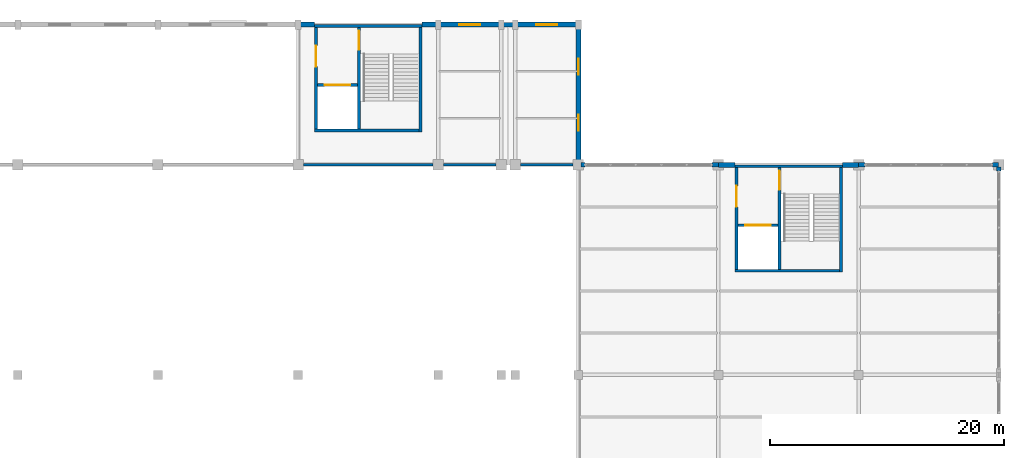
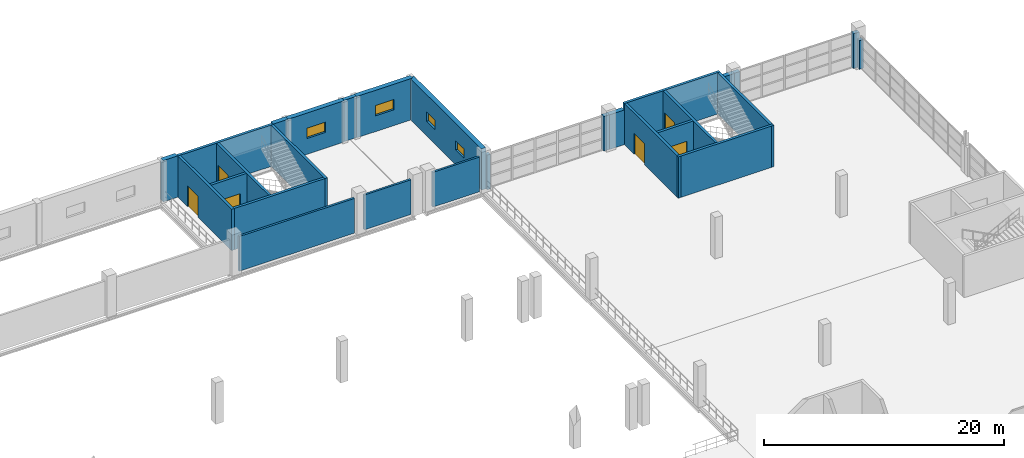
# One storey, part 150 of 158: 28 walls, 6 doors, 4 windows, 10 openings.
"""IFC4 building model written with IfcOpenShell, lengths in metres."""

from ifc_helpers import new_model, si_unit, direction, frame, frame_2d, origin, place, context, subcontext, project, spatial, rectangle, extrude, material, layer, layer_set, type_object, element, fill, save


model = new_model("IFC4")

# Units and contexts
model_context = context("Model", 3, precision=1e-05, world=origin(), true_north=direction((0.0, 1.0)))
body_context = subcontext(model_context, "Body", "Model", "MODEL_VIEW")
ifc_project = project(units=[si_unit("LENGTHUNIT", "METRE"), si_unit("AREAUNIT", "SQUARE_METRE"), si_unit("VOLUMEUNIT", "CUBIC_METRE"), si_unit("PLANEANGLEUNIT", "RADIAN"), si_unit("MASSUNIT", "GRAM", prefix="KILO")], contexts=[model_context])

# Site, building, storey
site_placement = place(None, origin())
site = spatial("IfcSite", under=ifc_project, at=site_placement, CompositionType="ELEMENT")
building_placement = place(site_placement, origin())
building = spatial("IfcBuilding", under=site, at=building_placement, Name="Zilviju Railside Exhibition Hall", CompositionType="ELEMENT")
storey_placement = place(building_placement, frame((0.0, 0.0, 4.199951171875)))
storey = spatial("IfcBuildingStorey", under=building, at=storey_placement, Name="L02", CompositionType="ELEMENT", Elevation=4.199951171875)

# Walls
ifc_material_1 = material(Name="Concrete C35/45", Category="concrete")
ifc_layer_1 = layer(ifc_material_1, 0.25)
ifc_layer_set_1 = layer_set([ifc_layer_1], Name="Concrete C35/45")
wall_type_1 = type_object("IfcWallType", Name="WL-CORE-250", PredefinedType="SHEAR", material=ifc_layer_set_1)
wall_1_placement = place(storey_placement, frame((202.47509765625, 138.0, 0.0), z_axis=(0.0, 0.0, 1.0), x_axis=(0.0, -1.0, 0.0)))
element("IfcWall", 1, at=wall_1_placement, inside=storey, type_object=wall_type_1, Name="Core C08 North Hall Rail East Stairwell Outer Wall L02", PredefinedType="SHEAR", context=body_context, shape_type="SweptSolid", body=[
    extrude(rectangle(XDim=9.199951171875, YDim=0.25, at=frame_2d((4.60009765625, 0.0))), origin(), (0.0, 0.0, 1.0), 4.199951171875),
])
wall_2_placement = place(storey_placement, frame((202.60009765625, 128.925048828125, 0.0), z_axis=(0.0, 0.0, 1.0), x_axis=(-1.0, 0.0, 0.0)))
element("IfcWall", 2, at=wall_2_placement, inside=storey, type_object=wall_type_1, Name="Core C08 North Hall Rail East Core Rear Wall L02", PredefinedType="SHEAR", context=body_context, shape_type="SweptSolid", body=[
    extrude(rectangle(XDim=9.2001953125, YDim=0.25, at=frame_2d((4.60009765625, 0.0))), origin(), (0.0, 0.0, 1.0), 4.199951171875),
])

# Wall, opening, door
wall_3_placement = place(storey_placement, frame((193.52490234375, 138.0, 0.0), z_axis=(0.0, 0.0, 1.0), x_axis=(0.0, -1.0, 0.0)))
wall_3 = element("IfcWall", 3, at=wall_3_placement, inside=storey, type_object=wall_type_1, Name="Core C08 North Hall Rail East Lobby Side Wall L02", PredefinedType="SHEAR", context=body_context, shape_type="SweptSolid", body=[
    extrude(rectangle(XDim=9.199951171875, YDim=0.25, at=frame_2d((4.60009765625, 0.0))), origin(), (0.0, 0.0, 1.0), 4.199951171875),
])
opening_1_placement = place(wall_3_placement, frame((1.800048828125, 0.0, 0.0)))
opening_1 = element("IfcOpeningElement", 4, at=opening_1_placement, cuts=wall_3, Name="Opening FD-02", PredefinedType="OPENING", context=body_context, shape_type="SweptSolid", body=[
    extrude(rectangle(XDim=1.800048828125, YDim=2.14990234375, at=frame_2d((0.89990234375, 1.074951171875))), frame((0.0, 0.135009765625, 0.0), z_axis=(0.0, -1.0, 0.0), x_axis=(1.0, 0.0, 0.0)), (0.0, 0.0, 1.0), 0.27001953125),
])
ifc_material_2 = material(Name="Self-closing glazed steel core lobby fire door EI 60", Category="steel")
door_type_1 = type_object("IfcDoorType", Name="DR-LOBBY-180x215", OperationType="NOTDEFINED", PredefinedType="DOOR", material=ifc_material_2)
door_1_placement = place(opening_1_placement, origin())
door_1 = element("IfcDoor", 5, at=door_1_placement, inside=storey, type_object=door_type_1, Name="Core C08 North Hall Rail East Lobby Fire Door L02", OperationType="DOUBLE_DOOR_SINGLE_SWING", OverallHeight=2.14990234375, OverallWidth=1.800048828125, PredefinedType="DOOR", context=body_context, shape_type="SweptSolid", body=[
    extrude(rectangle(XDim=1.800048828125, YDim=2.14990234375, at=frame_2d((0.89990234375, 1.074951171875))), frame((0.0, 0.02490234375, 0.0), z_axis=(0.0, -1.0, 0.0), x_axis=(1.0, 0.0, 0.0)), (0.0, 0.0, 1.0), 0.050048828125),
])
fill(opening_1, door_1)

wall_4_placement = place(storey_placement, frame((197.22509765625, 137.75, 0.0), z_axis=(0.0, 0.0, 1.0), x_axis=(0.0, -1.0, 0.0)))
wall_4 = element("IfcWall", 6, at=wall_4_placement, inside=storey, type_object=wall_type_1, Name="Core C08 North Hall Rail East Stairwell Partition Wall L02", PredefinedType="SHEAR", context=body_context, shape_type="SweptSolid", body=[
    extrude(rectangle(XDim=8.699951171875, YDim=0.25, at=frame_2d((4.35009765625, 0.0))), origin(), (0.0, 0.0, 1.0), 4.199951171875),
])
opening_2_placement = place(wall_4_placement, frame((0.25, 0.0, 0.0)))
opening_2 = element("IfcOpeningElement", 7, at=opening_2_placement, cuts=wall_4, Name="Opening FD-01", PredefinedType="OPENING", context=body_context, shape_type="SweptSolid", body=[
    extrude(rectangle(XDim=1.64990234375, YDim=2.10009765625, at=frame_2d((0.824951171875, 1.050048828125))), frame((0.0, 0.135009765625, 0.0), z_axis=(0.0, -1.0, 0.0), x_axis=(1.0, 0.0, 0.0)), (0.0, 0.0, 1.0), 0.27001953125),
])
ifc_material_3 = material(Name="Self-closing steel stair enclosure fire door EI 60", Category="steel")
door_type_2 = type_object("IfcDoorType", Name="DR-STAIR-165x210", OperationType="NOTDEFINED", PredefinedType="DOOR", material=ifc_material_3)
door_2_placement = place(opening_2_placement, origin())
door_2 = element("IfcDoor", 8, at=door_2_placement, inside=storey, type_object=door_type_2, Name="Core C08 North Hall Rail East Protected Stair Door L02", OperationType="SINGLE_SWING_LEFT", OverallHeight=2.10009765625, OverallWidth=1.64990234375, PredefinedType="DOOR", context=body_context, shape_type="SweptSolid", body=[
    extrude(rectangle(XDim=1.64990234375, YDim=2.10009765625, at=frame_2d((0.824951171875, 1.050048828125))), frame((0.0, 0.02490234375, 0.0), z_axis=(0.0, -1.0, 0.0), x_axis=(1.0, 0.0, 0.0)), (0.0, 0.0, 1.0), 0.050048828125),
])
fill(opening_2, door_2)

wall_5_placement = place(storey_placement, frame((197.10009765625, 132.824951171875, 0.0), z_axis=(0.0, 0.0, 1.0), x_axis=(-1.0, 0.0, 0.0)))
wall_5 = element("IfcWall", 9, at=wall_5_placement, inside=storey, type_object=wall_type_1, Name="Core C08 North Hall Rail East Lift Shaft Front Wall L02", PredefinedType="SHEAR", context=body_context, shape_type="SweptSolid", body=[
    extrude(rectangle(XDim=3.4501953125, YDim=0.25, at=frame_2d((1.72509765625, 0.0))), origin(), (0.0, 0.0, 1.0), 4.199951171875),
])
opening_3_placement = place(wall_5_placement, frame((0.625, 0.0, 0.0)))
opening_3 = element("IfcOpeningElement", 10, at=opening_3_placement, cuts=wall_5, Name="Opening LD-02", PredefinedType="OPENING", context=body_context, shape_type="SweptSolid", body=[
    extrude(rectangle(XDim=2.199951171875, YDim=2.35009765625, at=frame_2d((1.10009765625, 1.175048828125))), frame((0.0, 0.135009765625, 0.0), z_axis=(0.0, -1.0, 0.0), x_axis=(1.0, 0.0, 0.0)), (0.0, 0.0, 1.0), 0.27001953125),
])
ifc_material_4 = material(Name="Heavy freight lift sliding landing door EI 60", Category="wood")
door_type_3 = type_object("IfcDoorType", Name="DR-LIFT-220x235", OperationType="NOTDEFINED", PredefinedType="DOOR", material=ifc_material_4)
door_3_placement = place(opening_3_placement, origin())
door_3 = element("IfcDoor", 11, at=door_3_placement, inside=storey, type_object=door_type_3, Name="Lift Landing Door LF-02 L02", OperationType="SLIDING_TO_RIGHT", OverallHeight=2.35009765625, OverallWidth=2.199951171875, PredefinedType="DOOR", context=body_context, shape_type="SweptSolid", body=[
    extrude(rectangle(XDim=2.199951171875, YDim=2.35009765625, at=frame_2d((1.10009765625, 1.175048828125))), frame((0.0, 0.02490234375, 0.0), z_axis=(0.0, -1.0, 0.0), x_axis=(1.0, 0.0, 0.0)), (0.0, 0.0, 1.0), 0.050048828125),
])
fill(opening_3, door_3)

# Walls
wall_6_placement = place(storey_placement, frame((166.47509765625, 150.0, 0.0), z_axis=(0.0, 0.0, 1.0), x_axis=(0.0, -1.0, 0.0)))
element("IfcWall", 12, at=wall_6_placement, inside=storey, type_object=wall_type_1, Name="Core C17 Logistics Wing East Stairwell Outer Wall L02", PredefinedType="SHEAR", context=body_context, shape_type="SweptSolid", body=[
    extrude(rectangle(XDim=9.199951171875, YDim=0.25, at=frame_2d((4.60009765625, 0.0))), origin(), (0.0, 0.0, 1.0), 4.199951171875),
])
wall_7_placement = place(storey_placement, frame((166.60009765625, 140.925048828125, 0.0), z_axis=(0.0, 0.0, 1.0), x_axis=(-1.0, 0.0, 0.0)))
element("IfcWall", 13, at=wall_7_placement, inside=storey, type_object=wall_type_1, Name="Core C17 Logistics Wing East Core Rear Wall L02", PredefinedType="SHEAR", context=body_context, shape_type="SweptSolid", body=[
    extrude(rectangle(XDim=9.2001953125, YDim=0.25, at=frame_2d((4.60009765625, 0.0))), origin(), (0.0, 0.0, 1.0), 4.199951171875),
])

# Wall, opening, door
wall_8_placement = place(storey_placement, frame((157.52490234375, 150.0, 0.0), z_axis=(0.0, 0.0, 1.0), x_axis=(0.0, -1.0, 0.0)))
wall_8 = element("IfcWall", 14, at=wall_8_placement, inside=storey, type_object=wall_type_1, Name="Core C17 Logistics Wing East Lobby Side Wall L02", PredefinedType="SHEAR", context=body_context, shape_type="SweptSolid", body=[
    extrude(rectangle(XDim=9.199951171875, YDim=0.25, at=frame_2d((4.60009765625, 0.0))), origin(), (0.0, 0.0, 1.0), 4.199951171875),
])
opening_4_placement = place(wall_8_placement, frame((1.800048828125, 0.0, 0.0)))
opening_4 = element("IfcOpeningElement", 15, at=opening_4_placement, cuts=wall_8, Name="Opening FD-02", PredefinedType="OPENING", context=body_context, shape_type="SweptSolid", body=[
    extrude(rectangle(XDim=1.800048828125, YDim=2.14990234375, at=frame_2d((0.89990234375, 1.074951171875))), frame((0.0, 0.135009765625, 0.0), z_axis=(0.0, -1.0, 0.0), x_axis=(1.0, 0.0, 0.0)), (0.0, 0.0, 1.0), 0.27001953125),
])
door_4_placement = place(opening_4_placement, origin())
door_4 = element("IfcDoor", 16, at=door_4_placement, inside=storey, type_object=door_type_1, Name="Core C17 Logistics Wing East Lobby Fire Door L02", OperationType="DOUBLE_DOOR_SINGLE_SWING", OverallHeight=2.14990234375, OverallWidth=1.800048828125, PredefinedType="DOOR", context=body_context, shape_type="SweptSolid", body=[
    extrude(rectangle(XDim=1.800048828125, YDim=2.14990234375, at=frame_2d((0.89990234375, 1.074951171875))), frame((0.0, 0.02490234375, 0.0), z_axis=(0.0, -1.0, 0.0), x_axis=(1.0, 0.0, 0.0)), (0.0, 0.0, 1.0), 0.050048828125),
])
fill(opening_4, door_4)

wall_9_placement = place(storey_placement, frame((161.22509765625, 149.75, 0.0), z_axis=(0.0, 0.0, 1.0), x_axis=(0.0, -1.0, 0.0)))
wall_9 = element("IfcWall", 17, at=wall_9_placement, inside=storey, type_object=wall_type_1, Name="Core C17 Logistics Wing East Stairwell Partition Wall L02", PredefinedType="SHEAR", context=body_context, shape_type="SweptSolid", body=[
    extrude(rectangle(XDim=8.699951171875, YDim=0.25, at=frame_2d((4.35009765625, 0.0))), origin(), (0.0, 0.0, 1.0), 4.199951171875),
])
opening_5_placement = place(wall_9_placement, frame((0.25, 0.0, 0.0)))
opening_5 = element("IfcOpeningElement", 18, at=opening_5_placement, cuts=wall_9, Name="Opening FD-01", PredefinedType="OPENING", context=body_context, shape_type="SweptSolid", body=[
    extrude(rectangle(XDim=1.64990234375, YDim=2.10009765625, at=frame_2d((0.824951171875, 1.050048828125))), frame((0.0, 0.135009765625, 0.0), z_axis=(0.0, -1.0, 0.0), x_axis=(1.0, 0.0, 0.0)), (0.0, 0.0, 1.0), 0.27001953125),
])
door_5_placement = place(opening_5_placement, origin())
door_5 = element("IfcDoor", 19, at=door_5_placement, inside=storey, type_object=door_type_2, Name="Core C17 Logistics Wing East Protected Stair Door L02", OperationType="SINGLE_SWING_RIGHT", OverallHeight=2.10009765625, OverallWidth=1.64990234375, PredefinedType="DOOR", context=body_context, shape_type="SweptSolid", body=[
    extrude(rectangle(XDim=1.64990234375, YDim=2.10009765625, at=frame_2d((0.824951171875, 1.050048828125))), frame((0.0, 0.02490234375, 0.0), z_axis=(0.0, -1.0, 0.0), x_axis=(1.0, 0.0, 0.0)), (0.0, 0.0, 1.0), 0.050048828125),
])
fill(opening_5, door_5)

wall_10_placement = place(storey_placement, frame((161.10009765625, 144.824951171875, 0.0), z_axis=(0.0, 0.0, 1.0), x_axis=(-1.0, 0.0, 0.0)))
wall_10 = element("IfcWall", 20, at=wall_10_placement, inside=storey, type_object=wall_type_1, Name="Core C17 Logistics Wing East Lift Shaft Front Wall L02", PredefinedType="SHEAR", context=body_context, shape_type="SweptSolid", body=[
    extrude(rectangle(XDim=3.4501953125, YDim=0.25, at=frame_2d((1.72509765625, 0.0))), origin(), (0.0, 0.0, 1.0), 4.199951171875),
])
opening_6_placement = place(wall_10_placement, frame((0.625, 0.0, 0.0)))
opening_6 = element("IfcOpeningElement", 21, at=opening_6_placement, cuts=wall_10, Name="Opening LD-02", PredefinedType="OPENING", context=body_context, shape_type="SweptSolid", body=[
    extrude(rectangle(XDim=2.199951171875, YDim=2.35009765625, at=frame_2d((1.10009765625, 1.175048828125))), frame((0.0, 0.135009765625, 0.0), z_axis=(0.0, -1.0, 0.0), x_axis=(1.0, 0.0, 0.0)), (0.0, 0.0, 1.0), 0.27001953125),
])
door_6_placement = place(opening_6_placement, origin())
door_6 = element("IfcDoor", 22, at=door_6_placement, inside=storey, type_object=door_type_3, Name="Lift Landing Door LF-04 L02", OperationType="SLIDING_TO_LEFT", OverallHeight=2.35009765625, OverallWidth=2.199951171875, PredefinedType="DOOR", context=body_context, shape_type="SweptSolid", body=[
    extrude(rectangle(XDim=2.199951171875, YDim=2.35009765625, at=frame_2d((1.10009765625, 1.175048828125))), frame((0.0, 0.02490234375, 0.0), z_axis=(0.0, -1.0, 0.0), x_axis=(1.0, 0.0, 0.0)), (0.0, 0.0, 1.0), 0.050048828125),
])
fill(opening_6, door_6)

# Walls
ifc_material_5 = material(Name="Concrete C40/50", Category="concrete")
ifc_layer_2 = layer(ifc_material_5, 0.25)
ifc_layer_set_2 = layer_set([ifc_layer_2], Name="Concrete C40/50")
wall_type_2 = type_object("IfcWallType", Name="WL-CORE-300", PredefinedType="SHEAR", material=ifc_layer_set_2)
for number, where, z_axis, x_axis, name in (
    (23, (193.39990234375, 137.875, 0.0), (0.0, 0.0, 1.0), (1.0, 0.0, 0.0), "Core C08 North Hall Rail East Exterior Core Wall L02"),
    (24, (157.39990234375, 149.875, 0.0), (0.0, 0.0, 1.0), (1.0, 0.0, 0.0), "Core C17 Logistics Wing East Exterior Core Wall L02"),
):
    element("IfcWall", number, at=place(storey_placement, frame(where, z_axis=z_axis, x_axis=x_axis)), inside=storey, type_object=wall_type_2, Name=name, PredefinedType="SHEAR", context=body_context, shape_type="SweptSolid", body=[
        extrude(rectangle(XDim=9.2001953125, YDim=0.25, at=frame_2d((4.60009765625, 0.0))), origin(), (0.0, 0.0, 1.0), 4.199951171875),
    ])
ifc_material_6 = material(Name="Insulated courtyard masonry wall", Category="masonry")
ifc_layer_3 = layer(ifc_material_6, 0.360107421875)
ifc_layer_set_3 = layer_set([ifc_layer_3], Name="Insulated courtyard masonry wall")
wall_type_3 = type_object("IfcWallType", Name="WL-EXT-360", PredefinedType="SOLIDWALL", material=ifc_layer_set_3)
wall_11_placement = place(storey_placement, frame((173.39990234375, 150.0, 0.0), z_axis=(0.0, 0.0, 1.0), x_axis=(1.0, 0.0, 0.0)))
element("IfcWall", 25, at=wall_11_placement, inside=storey, type_object=wall_type_3, Name="Exterior Facade Wall L02 North 0600", PredefinedType="SOLIDWALL", context=body_context, shape_type="SweptSolid", body=[
    extrude(rectangle(XDim=1.2001953125, YDim=0.360107421875, at=frame_2d((0.60009765625, 0.0))), origin(), (0.0, 0.0, 1.0), 4.199951171875),
])
ifc_material_7 = material(Name="Insulated cream-brick upper facade wall", Category="masonry")
ifc_layer_4 = layer(ifc_material_7, 0.3798828125)
ifc_layer_set_4 = layer_set([ifc_layer_4], Name="Insulated cream-brick upper facade wall")
wall_type_4 = type_object("IfcWallType", Name="WL-EXT-380", PredefinedType="SOLIDWALL", material=ifc_layer_set_4)
wall_12_placement = place(storey_placement, frame((180.221923828125, 138.0, 0.0), z_axis=(0.0, 0.0, 1.0), x_axis=(1.0, 0.0, 0.0)))
element("IfcWall", 26, at=wall_12_placement, inside=storey, type_object=wall_type_4, Name="Curtain-Wall Jamb Closure Pier L02 0210", PredefinedType="SOLIDWALL", context=body_context, shape_type="SweptSolid", body=[
    extrude(rectangle(XDim=0.328125, YDim=0.3798828125, at=frame_2d((0.1640625, 0.0))), origin(), (0.0, 0.0, 1.0), 3.530029296875),
])
for number, where, z_axis, x_axis, name in (
    (27, (191.449951171875, 138.0, 0.0), (0.0, 0.0, 1.0), (1.0, 0.0, 0.0), "Curtain-Wall Jamb Closure Pier L02 0211"),
    (28, (204.001953125, 138.0, 0.0), (0.0, 0.0, 1.0), (1.0, 0.0, 0.0), "Curtain-Wall Jamb Closure Pier L02 0214"),
):
    element("IfcWall", number, at=place(storey_placement, frame(where, z_axis=z_axis, x_axis=x_axis)), inside=storey, type_object=wall_type_4, Name=name, PredefinedType="SOLIDWALL", context=body_context, shape_type="SweptSolid", body=[
        extrude(rectangle(XDim=0.548095703125, YDim=0.3798828125, at=frame_2d((0.27392578125, 0.0))), origin(), (0.0, 0.0, 1.0), 3.530029296875),
    ])
wall_13_placement = place(storey_placement, frame((215.449951171875, 138.0, 0.0), z_axis=(0.0, 0.0, 1.0), x_axis=(1.0, 0.0, 0.0)))
element("IfcWall", 29, at=wall_13_placement, inside=storey, type_object=wall_type_4, Name="Curtain-Wall Jamb Closure Pier L02 0215", PredefinedType="SOLIDWALL", context=body_context, shape_type="SweptSolid", body=[
    extrude(rectangle(XDim=0.550048828125, YDim=0.3798828125, at=frame_2d((0.27490234375, 0.0))), origin(), (0.0, 0.0, 1.0), 3.530029296875),
])
wall_14_placement = place(storey_placement, frame((216.0, 137.80810546875, 0.0), z_axis=(0.0, 0.0, 1.0), x_axis=(0.0, -1.0, 0.0)))
element("IfcWall", 30, at=wall_14_placement, inside=storey, type_object=wall_type_4, Name="Curtain-Wall Jamb Closure Pier L02 0222", PredefinedType="SOLIDWALL", context=body_context, shape_type="SweptSolid", body=[
    extrude(rectangle(XDim=0.358154296875, YDim=0.3798828125, at=frame_2d((0.17919921875, 0.0))), origin(), (0.0, 0.0, 1.0), 2.920166015625),
])
ifc_material_8 = material(Name="Insulated Jugendstils ochre brick facade wall", Category="masonry")
ifc_layer_5 = layer(ifc_material_8, 0.419921875)
ifc_layer_set_5 = layer_set([ifc_layer_5], Name="Insulated Jugendstils ochre brick facade wall")
wall_type_5 = type_object("IfcWallType", Name="WL-EXT-420", PredefinedType="SOLIDWALL", material=ifc_layer_set_5)
for number, where, z_axis, x_axis, name in (
    (31, (192.0, 138.0, 0.0), (0.0, 0.0, 1.0), (1.0, 0.0, 0.0), "Exterior Facade Wall L02 North 0212"),
    (32, (202.60009765625, 138.0, 0.0), (0.0, 0.0, 1.0), (1.0, 0.0, 0.0), "Exterior Facade Wall L02 North 0213"),
):
    element("IfcWall", number, at=place(storey_placement, frame(where, z_axis=z_axis, x_axis=x_axis)), inside=storey, type_object=wall_type_5, Name=name, PredefinedType="SOLIDWALL", context=body_context, shape_type="SweptSolid", body=[
        extrude(rectangle(XDim=1.39990234375, YDim=0.419921875, at=frame_2d((0.699951171875, 0.0))), origin(), (0.0, 0.0, 1.0), 3.530029296875),
    ])
ifc_layer_6 = layer(ifc_material_5, 0.43994140625)
ifc_layer_set_6 = layer_set([ifc_layer_6], Name="Concrete C40/50")
wall_type_6 = type_object("IfcWallType", Name="WL-EXT-AC440", PredefinedType="SHEAR", material=ifc_layer_set_6)
for number, where, z_axis, x_axis, name in (
    (33, (156.0, 150.0, 0.0), (0.0, 0.0, 1.0), (1.0, 0.0, 0.0), "Exterior Facade Wall L02 North 0553"),
    (34, (166.60009765625, 150.0, 0.0), (0.0, 0.0, 1.0), (1.0, 0.0, 0.0), "Exterior Facade Wall L02 North 0554"),
):
    element("IfcWall", number, at=place(storey_placement, frame(where, z_axis=z_axis, x_axis=x_axis)), inside=storey, type_object=wall_type_6, Name=name, PredefinedType="SHEAR", context=body_context, shape_type="SweptSolid", body=[
        extrude(rectangle(XDim=1.39990234375, YDim=0.43994140625, at=frame_2d((0.699951171875, 0.0))), origin(), (0.0, 0.0, 1.0), 4.199951171875),
    ])

# Wall, opening, window
wall_15_placement = place(storey_placement, frame((168.0, 150.0, 0.0), z_axis=(0.0, 0.0, 1.0), x_axis=(1.0, 0.0, 0.0)))
wall_15 = element("IfcWall", 35, at=wall_15_placement, inside=storey, type_object=wall_type_6, Name="Exterior Facade Wall L02 North 0555", PredefinedType="SHEAR", context=body_context, shape_type="SweptSolid", body=[
    extrude(rectangle(XDim=5.39990234375, YDim=0.43994140625, at=frame_2d((2.699951171875, 0.0))), origin(), (0.0, 0.0, 1.0), 4.199951171875),
])
opening_7_placement = place(wall_15_placement, frame((1.800048828125, 0.0, 1.60009765625)))
opening_7 = element("IfcOpeningElement", 36, at=opening_7_placement, cuts=wall_15, Name="Opening WN-16", PredefinedType="OPENING", context=body_context, shape_type="SweptSolid", body=[
    extrude(rectangle(XDim=1.800048828125, YDim=1.050048828125, at=frame_2d((0.89990234375, 0.52490234375))), frame((0.0, 0.22998046875, 0.0), z_axis=(0.0, -1.0, 0.0), x_axis=(1.0, 0.0, 0.0)), (0.0, 0.0, 1.0), 0.4599609375),
])
ifc_material_9 = material(Name="Triple-glazed timber-aluminium window unit", Category="wood")
window_type_1 = type_object("IfcWindowType", Name="WIN-LOG-180x105", PartitioningType="DOUBLE_PANEL_VERTICAL", PredefinedType="WINDOW", material=ifc_material_9)
window_1_placement = place(opening_7_placement, origin())
window_1 = element("IfcWindow", 37, at=window_1_placement, inside=storey, type_object=window_type_1, Name="Facade Window L02 WN-0136", OverallHeight=1.050048828125, OverallWidth=1.800048828125, PartitioningType="SINGLE_PANEL", PredefinedType="WINDOW", context=body_context, shape_type="SweptSolid", body=[
    extrude(rectangle(XDim=1.800048828125, YDim=1.050048828125, at=frame_2d((0.89990234375, 0.52490234375))), frame((0.0, 0.030029296875, 0.0), z_axis=(0.0, -1.0, 0.0), x_axis=(1.0, 0.0, 0.0)), (0.0, 0.0, 1.0), 0.06005859375),
])
fill(opening_7, window_1)

wall_16_placement = place(storey_placement, frame((174.60009765625, 150.0, 0.0), z_axis=(0.0, 0.0, 1.0), x_axis=(1.0, 0.0, 0.0)))
wall_16 = element("IfcWall", 38, at=wall_16_placement, inside=storey, type_object=wall_type_6, Name="Exterior Facade Wall L02 North 0556", PredefinedType="SHEAR", context=body_context, shape_type="SweptSolid", body=[
    extrude(rectangle(XDim=5.39990234375, YDim=0.43994140625, at=frame_2d((2.699951171875, 0.0))), origin(), (0.0, 0.0, 1.0), 4.199951171875),
])
opening_8_placement = place(wall_16_placement, frame((1.800048828125, 0.0, 1.60009765625)))
opening_8 = element("IfcOpeningElement", 39, at=opening_8_placement, cuts=wall_16, Name="Opening WN-16", PredefinedType="OPENING", context=body_context, shape_type="SweptSolid", body=[
    extrude(rectangle(XDim=1.800048828125, YDim=1.050048828125, at=frame_2d((0.89990234375, 0.52490234375))), frame((0.0, 0.22998046875, 0.0), z_axis=(0.0, -1.0, 0.0), x_axis=(1.0, 0.0, 0.0)), (0.0, 0.0, 1.0), 0.4599609375),
])
window_2_placement = place(opening_8_placement, origin())
window_2 = element("IfcWindow", 40, at=window_2_placement, inside=storey, type_object=window_type_1, Name="Facade Window L02 WN-0137", OverallHeight=1.050048828125, OverallWidth=1.800048828125, PartitioningType="SINGLE_PANEL", PredefinedType="WINDOW", context=body_context, shape_type="SweptSolid", body=[
    extrude(rectangle(XDim=1.800048828125, YDim=1.050048828125, at=frame_2d((0.89990234375, 0.52490234375))), frame((0.0, 0.030029296875, 0.0), z_axis=(0.0, -1.0, 0.0), x_axis=(1.0, 0.0, 0.0)), (0.0, 0.0, 1.0), 0.06005859375),
])
fill(opening_8, window_2)

# Wall, openings, windows
wall_17_placement = place(storey_placement, frame((180.0, 150.0, 0.0), z_axis=(0.0, 0.0, 1.0), x_axis=(0.0, -1.0, 0.0)))
wall_17 = element("IfcWall", 41, at=wall_17_placement, inside=storey, type_object=wall_type_6, Name="Exterior Facade Wall L02 East 0579", PredefinedType="SHEAR", context=body_context, shape_type="SweptSolid", body=[
    extrude(rectangle(XDim=12.0, YDim=0.43994140625, at=frame_2d((6.0, 0.0))), origin(), (0.0, 0.0, 1.0), 4.199951171875),
])
opening_9_placement = place(wall_17_placement, frame((2.89990234375, 0.0, 1.5)))
opening_9 = element("IfcOpeningElement", 42, at=opening_9_placement, cuts=wall_17, Name="Opening WN-17", PredefinedType="OPENING", context=body_context, shape_type="SweptSolid", body=[
    extrude(rectangle(XDim=1.39990234375, YDim=0.949951171875, at=frame_2d((0.699951171875, 0.47509765625))), frame((0.0, 0.22998046875, 0.0), z_axis=(0.0, -1.0, 0.0), x_axis=(1.0, 0.0, 0.0)), (0.0, 0.0, 1.0), 0.4599609375),
])
opening_10_placement = place(wall_17_placement, frame((7.699951171875, 0.0, 1.5)))
opening_10 = element("IfcOpeningElement", 43, at=opening_10_placement, cuts=wall_17, Name="Opening WN-17", PredefinedType="OPENING", context=body_context, shape_type="SweptSolid", body=[
    extrude(rectangle(XDim=1.39990234375, YDim=0.949951171875, at=frame_2d((0.699951171875, 0.47509765625))), frame((0.0, 0.22998046875, 0.0), z_axis=(0.0, -1.0, 0.0), x_axis=(1.0, 0.0, 0.0)), (0.0, 0.0, 1.0), 0.4599609375),
])
window_type_2 = type_object("IfcWindowType", Name="WIN-LOG-140x095", PartitioningType="DOUBLE_PANEL_VERTICAL", PredefinedType="WINDOW", material=ifc_material_9)
window_3_placement = place(opening_9_placement, origin())
window_3 = element("IfcWindow", 44, at=window_3_placement, inside=storey, type_object=window_type_2, Name="Facade Window L02 WN-0172", OverallHeight=0.949951171875, OverallWidth=1.39990234375, PartitioningType="SINGLE_PANEL", PredefinedType="WINDOW", context=body_context, shape_type="SweptSolid", body=[
    extrude(rectangle(XDim=1.39990234375, YDim=0.949951171875, at=frame_2d((0.699951171875, 0.47509765625))), frame((0.0, 0.030029296875, 0.0), z_axis=(0.0, -1.0, 0.0), x_axis=(1.0, 0.0, 0.0)), (0.0, 0.0, 1.0), 0.06005859375),
])
fill(opening_9, window_3)
window_4_placement = place(opening_10_placement, origin())
window_4 = element("IfcWindow", 45, at=window_4_placement, inside=storey, type_object=window_type_2, Name="Facade Window L02 WN-0173", OverallHeight=0.949951171875, OverallWidth=1.39990234375, PartitioningType="SINGLE_PANEL", PredefinedType="WINDOW", context=body_context, shape_type="SweptSolid", body=[
    extrude(rectangle(XDim=1.39990234375, YDim=0.949951171875, at=frame_2d((0.699951171875, 0.47509765625))), frame((0.0, 0.030029296875, 0.0), z_axis=(0.0, -1.0, 0.0), x_axis=(1.0, 0.0, 0.0)), (0.0, 0.0, 1.0), 0.06005859375),
])
fill(opening_10, window_4)

# Walls
ifc_material_10 = material(Name="Double-stud acoustic gypsum partition wall", Category="masonry")
ifc_layer_7 = layer(ifc_material_10, 0.199951171875)
ifc_layer_set_7 = layer_set([ifc_layer_7], Name="Double-stud acoustic gypsum partition wall")
wall_type_7 = type_object("IfcWallType", Name="WL-PART-200", PredefinedType="PARTITIONING", material=ifc_layer_set_7)
wall_18_placement = place(storey_placement, frame((156.451904296875, 138.0, 0.0), z_axis=(0.0, 0.0, 1.0), x_axis=(1.0, 0.0, 0.0)))
element("IfcWall", 46, at=wall_18_placement, inside=storey, type_object=wall_type_7, Name="REI 180 Railside Buffer Compartment Wall L02", PredefinedType="PARTITIONING", context=body_context, shape_type="SweptSolid", body=[
    extrude(rectangle(XDim=11.09619140625, YDim=0.199951171875, at=frame_2d((5.548095703125, 0.0))), origin(), (0.0, 0.0, 1.0), 3.530029296875),
])
for number, where, z_axis, x_axis, name in (
    (47, (168.451904296875, 138.0, 0.0), (0.0, 0.0, 1.0), (1.0, 0.0, 0.0), "REI 180 Railside Buffer Compartment Wall L02"),
    (48, (175.052001953125, 138.0, 0.0), (0.0, 0.0, 1.0), (1.0, 0.0, 0.0), "REI 180 Railside Buffer Compartment Wall L02"),
):
    element("IfcWall", number, at=place(storey_placement, frame(where, z_axis=z_axis, x_axis=x_axis)), inside=storey, type_object=wall_type_7, Name=name, PredefinedType="PARTITIONING", context=body_context, shape_type="SweptSolid", body=[
        extrude(rectangle(XDim=4.49609375, YDim=0.199951171875, at=frame_2d((2.248046875, 0.0))), origin(), (0.0, 0.0, 1.0), 3.530029296875),
    ])

save(model, "model.ifc")
